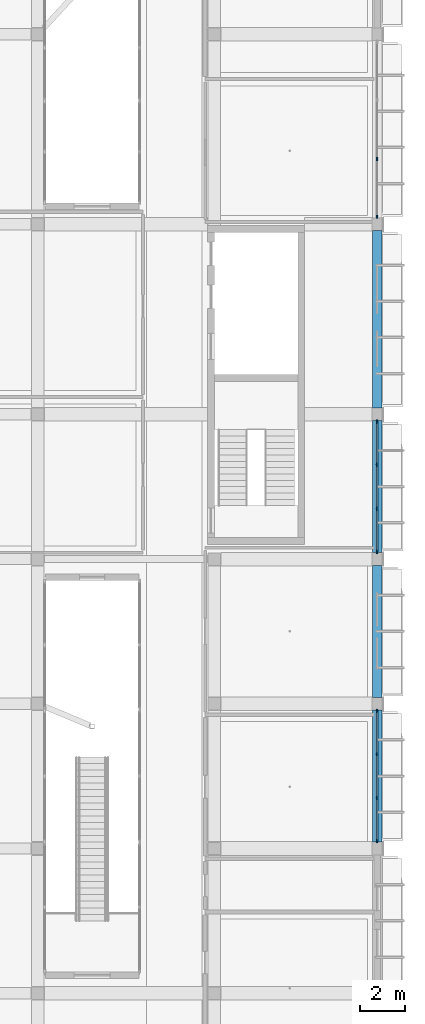
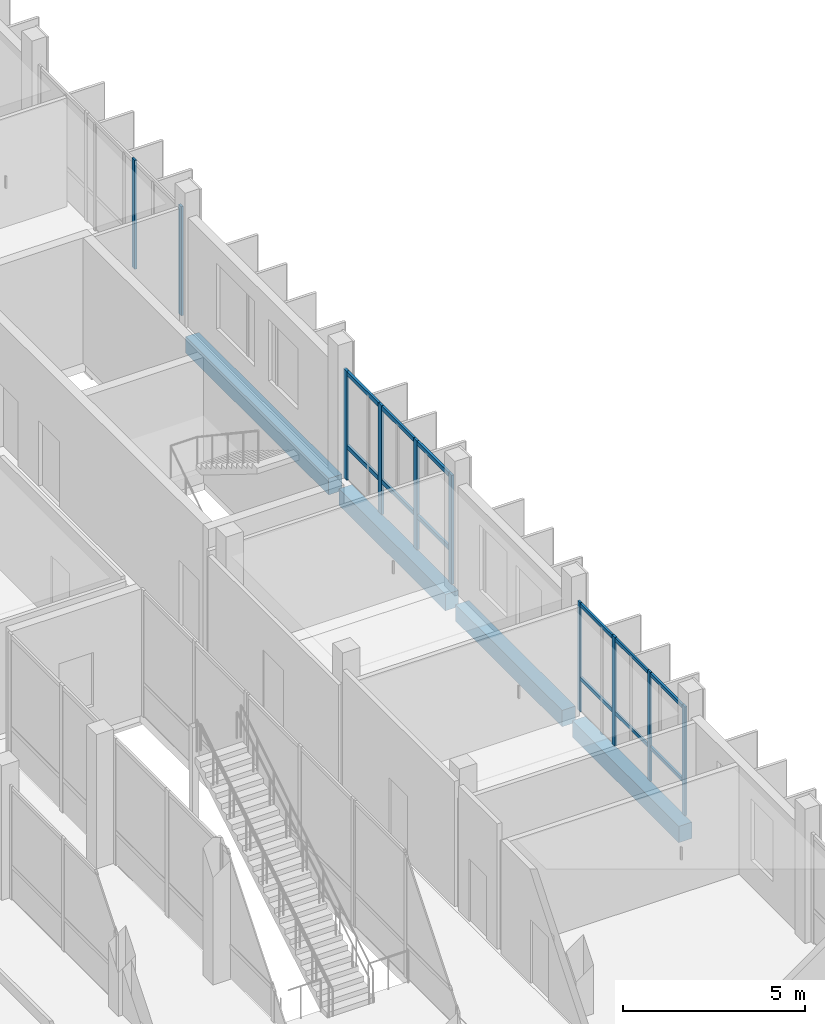
# One storey, part 37 of 95: 14 members, 4 beams, 3 elements without a shape of their own.
"""IFC4 building model written with IfcOpenShell, lengths in metres."""

from ifc_helpers import new_model, si_unit, derived_unit, direction, frame, origin, origin_2d, place, context, subcontext, project, spatial, rectangle, extrude, material, material_profile, profile_set, type_object, element, aggregate, save


model = new_model("IFC4")

# Units and contexts
model_context = context("Model", 3, precision=1e-05, world=origin(), true_north=direction((0.0, 1.0)))
body_context = subcontext(model_context, "Body", "Model", "MODEL_VIEW")
ifc_project = project(units=[si_unit("LENGTHUNIT", "METRE"), si_unit("AREAUNIT", "SQUARE_METRE"), si_unit("VOLUMEUNIT", "CUBIC_METRE"), si_unit("PLANEANGLEUNIT", "RADIAN"), si_unit("MASSUNIT", "GRAM", prefix="KILO"), derived_unit("THERMALTRANSMITTANCEUNIT", [(si_unit("POWERUNIT", "WATT"), 1), (si_unit("LENGTHUNIT", "METRE"), -2), (si_unit("THERMODYNAMICTEMPERATUREUNIT", "KELVIN"), -1)])], contexts=[model_context])

# Site, building, storey
site_placement = place(None, origin())
site = spatial("IfcSite", under=ifc_project, at=site_placement, CompositionType="ELEMENT")
building_placement = place(site_placement, origin())
building = spatial("IfcBuilding", under=site, at=building_placement, Name="Braskholm Square Health Centre", CompositionType="ELEMENT")
storey_placement = place(building_placement, frame((0.0, 0.0, 4.800048828125)))
storey = spatial("IfcBuildingStorey", under=building, at=storey_placement, Name="L02", CompositionType="ELEMENT", Elevation=4.800048828125)

# Curtain wall, members
ifc_material_1 = material(Name="Low-E triple insulating glass (VLT 0.64)", Category="glass")
curtain_wall_type = type_object("IfcCurtainWallType", Name="UnitisedCurtainWall6200x3650", PredefinedType="NOTDEFINED", material=ifc_material_1)
curtain_wall_1_placement = place(storey_placement, origin())
curtain_wall_1 = element("IfcCurtainWall", 1, at=curtain_wall_1_placement, inside=storey, type_object=curtain_wall_type, Name="East Outer unitised curtain wall CW-L02-0054", PredefinedType="NOTDEFINED")
ifc_material_2 = material(Name="Architectural bronze anodised aluminium", Category="aluminium")
ifc_material_profile_1 = material_profile(ifc_material_2, rectangle(XDim=0.06494140625, YDim=0.14990234375, at=origin_2d()), Name="ALU-65X150")
ifc_profile_set_1 = profile_set([ifc_material_profile_1], Name="Architectural bronze anodised aluminium")
member_type_1 = type_object("IfcMemberType", Name="CurtainWallMullion65x150", PredefinedType="MULLION", material=ifc_profile_set_1)
member_1_placement = place(storey_placement, frame((163.800048828125, 36.52490234375, 0.0), z_axis=(0.0, 0.0, 1.0), x_axis=(1.0, 0.0, 0.0)))
member_1 = element("IfcMember", 2, at=member_1_placement, type_object=member_type_1, Name="CW-L02-0054 vertical mullion 1", PredefinedType="MULLION", context=body_context, shape_type="SweptSolid", body=[
    extrude(rectangle(XDim=0.06494140625, YDim=0.14990234375, at=origin_2d()), origin(), (0.0, 0.0, 1.0), 3.64990234375),
])
member_2_placement = place(storey_placement, frame((163.800048828125, 38.429931640625, 0.0), z_axis=(0.0, 0.0, 1.0), x_axis=(1.0, 0.0, 0.0)))
member_2 = element("IfcMember", 3, at=member_2_placement, type_object=member_type_1, Name="CW-L02-0054 vertical mullion 2", PredefinedType="MULLION", context=body_context, shape_type="SweptSolid", body=[
    extrude(rectangle(XDim=0.06494140625, YDim=0.14990234375, at=origin_2d()), origin(), (0.0, 0.0, 1.0), 3.64990234375),
])
member_3_placement = place(storey_placement, frame((163.800048828125, 40.3701171875, 0.0), z_axis=(0.0, 0.0, 1.0), x_axis=(1.0, 0.0, 0.0)))
member_3 = element("IfcMember", 4, at=member_3_placement, type_object=member_type_1, Name="CW-L02-0054 vertical mullion 3", PredefinedType="MULLION", context=body_context, shape_type="SweptSolid", body=[
    extrude(rectangle(XDim=0.06494140625, YDim=0.14990234375, at=origin_2d()), origin(), (0.0, 0.0, 1.0), 3.64990234375),
])
member_4_placement = place(storey_placement, frame((163.800048828125, 42.275146484375, 0.0), z_axis=(0.0, 0.0, 1.0), x_axis=(1.0, 0.0, 0.0)))
member_4 = element("IfcMember", 5, at=member_4_placement, type_object=member_type_1, Name="CW-L02-0054 vertical mullion 4", PredefinedType="MULLION", context=body_context, shape_type="SweptSolid", body=[
    extrude(rectangle(XDim=0.06494140625, YDim=0.14990234375, at=origin_2d()), origin(), (0.0, 0.0, 1.0), 3.64990234375),
])

curtain_wall_2_placement = place(storey_placement, origin())
curtain_wall_2 = element("IfcCurtainWall", 6, at=curtain_wall_2_placement, inside=storey, type_object=curtain_wall_type, Name="East Outer unitised curtain wall CW-L02-0056", PredefinedType="NOTDEFINED")
member_5_placement = place(storey_placement, frame((163.800048828125, 64.136962890625, 0.0), z_axis=(0.0, 0.0, 1.0), x_axis=(1.0, 0.0, 0.0)))
member_5 = element("IfcMember", 7, at=member_5_placement, type_object=member_type_1, Name="CW-L02-0056 vertical mullion 1", PredefinedType="MULLION", context=body_context, shape_type="SweptSolid", body=[
    extrude(rectangle(XDim=0.06494140625, YDim=0.14990234375, at=origin_2d()), origin(), (0.0, 0.0, 1.0), 3.64990234375),
])
member_6_placement = place(storey_placement, frame((163.800048828125, 66.69677734375, 0.0), z_axis=(0.0, 0.0, 1.0), x_axis=(1.0, 0.0, 0.0)))
member_6 = element("IfcMember", 8, at=member_6_placement, type_object=member_type_1, Name="CW-L02-0056 vertical mullion 2", PredefinedType="MULLION", context=body_context, shape_type="SweptSolid", body=[
    extrude(rectangle(XDim=0.06494140625, YDim=0.14990234375, at=origin_2d()), origin(), (0.0, 0.0, 1.0), 3.64990234375),
])
aggregate(curtain_wall_2, [member_5, member_6])

curtain_wall_3_placement = place(storey_placement, origin())
curtain_wall_3 = element("IfcCurtainWall", 9, at=curtain_wall_3_placement, inside=storey, type_object=curtain_wall_type, Name="East Outer unitised curtain wall CW-L02-0055", PredefinedType="NOTDEFINED")
ifc_material_profile_2 = material_profile(ifc_material_2, rectangle(XDim=0.074951171875, YDim=0.179931640625, at=origin_2d()), Name="ALU-75X180")
ifc_profile_set_2 = profile_set([ifc_material_profile_2], Name="Architectural bronze anodised aluminium")
member_type_2 = type_object("IfcMemberType", Name="CurtainWallMullion75x180", PredefinedType="MULLION", material=ifc_profile_set_2)
member_7_placement = place(storey_placement, frame((163.800048828125, 49.324951171875, 0.0), z_axis=(0.0, 0.0, 1.0), x_axis=(1.0, 0.0, 0.0)))
member_7 = element("IfcMember", 10, at=member_7_placement, type_object=member_type_2, Name="CW-L02-0055 vertical mullion 1", PredefinedType="MULLION", context=body_context, shape_type="SweptSolid", body=[
    extrude(rectangle(XDim=0.074951171875, YDim=0.179931640625, at=origin_2d()), origin(), (0.0, 0.0, 1.0), 3.64990234375),
])
member_8_placement = place(storey_placement, frame((163.800048828125, 51.22998046875, 0.0), z_axis=(0.0, 0.0, 1.0), x_axis=(1.0, 0.0, 0.0)))
member_8 = element("IfcMember", 11, at=member_8_placement, type_object=member_type_2, Name="CW-L02-0055 vertical mullion 2", PredefinedType="MULLION", context=body_context, shape_type="SweptSolid", body=[
    extrude(rectangle(XDim=0.074951171875, YDim=0.179931640625, at=origin_2d()), origin(), (0.0, 0.0, 1.0), 3.64990234375),
])
member_9_placement = place(storey_placement, frame((163.800048828125, 53.169921875, 0.0), z_axis=(0.0, 0.0, 1.0), x_axis=(1.0, 0.0, 0.0)))
member_9 = element("IfcMember", 12, at=member_9_placement, type_object=member_type_2, Name="CW-L02-0055 vertical mullion 3", PredefinedType="MULLION", context=body_context, shape_type="SweptSolid", body=[
    extrude(rectangle(XDim=0.074951171875, YDim=0.179931640625, at=origin_2d()), origin(), (0.0, 0.0, 1.0), 3.64990234375),
])
member_10_placement = place(storey_placement, frame((163.800048828125, 55.0751953125, 0.0), z_axis=(0.0, 0.0, 1.0), x_axis=(1.0, 0.0, 0.0)))
member_10 = element("IfcMember", 13, at=member_10_placement, type_object=member_type_2, Name="CW-L02-0055 vertical mullion 4", PredefinedType="MULLION", context=body_context, shape_type="SweptSolid", body=[
    extrude(rectangle(XDim=0.074951171875, YDim=0.179931640625, at=origin_2d()), origin(), (0.0, 0.0, 1.0), 3.64990234375),
])

# Member
ifc_material_profile_3 = material_profile(ifc_material_2, rectangle(XDim=0.06494140625, YDim=0.1201171875, at=origin_2d()), Name="ALU-65X120")
ifc_profile_set_3 = profile_set([ifc_material_profile_3], Name="Architectural bronze anodised aluminium")
member_type_3 = type_object("IfcMemberType", Name="CurtainWallTransom65x120", PredefinedType="USERDEFINED", material=ifc_profile_set_3)
member_11_placement = place(storey_placement, frame((163.800048828125, 36.534912109375, 1.119873046875), z_axis=(0.0, 1.0, 0.0), x_axis=(-1.0, 0.0, 0.0)))
member_11 = element("IfcMember", 14, at=member_11_placement, type_object=member_type_3, Name="CW-L02-0054 horizontal transom 1", ObjectType="TRANSOM", PredefinedType="USERDEFINED", context=body_context, shape_type="SweptSolid", body=[
    extrude(rectangle(XDim=0.06494140625, YDim=0.1201171875, at=origin_2d()), origin(), (0.0, 0.0, 1.0), 5.72998046875),
])

member_12_placement = place(storey_placement, frame((163.800048828125, 36.534912109375, 3.579833984375), z_axis=(0.0, 1.0, 0.0), x_axis=(-1.0, 0.0, 0.0)))
member_12 = element("IfcMember", 15, at=member_12_placement, type_object=member_type_3, Name="CW-L02-0054 horizontal transom 2", ObjectType="TRANSOM", PredefinedType="USERDEFINED", context=body_context, shape_type="SweptSolid", body=[
    extrude(rectangle(XDim=0.06494140625, YDim=0.1201171875, at=origin_2d()), origin(), (0.0, 0.0, 1.0), 5.72998046875),
])

aggregate(curtain_wall_1, [member_1, member_2, member_3, member_4, member_11, member_12])

ifc_material_profile_4 = material_profile(ifc_material_2, rectangle(XDim=0.074951171875, YDim=0.139892578125, at=origin_2d()), Name="ALU-75X140")
ifc_profile_set_4 = profile_set([ifc_material_profile_4], Name="Architectural bronze anodised aluminium")
member_type_4 = type_object("IfcMemberType", Name="CurtainWallTransom75x140", PredefinedType="USERDEFINED", material=ifc_profile_set_4)
member_13_placement = place(storey_placement, frame((163.800048828125, 49.3349609375, 1.119873046875), z_axis=(0.0, 1.0, 0.0), x_axis=(-1.0, 0.0, 0.0)))
member_13 = element("IfcMember", 16, at=member_13_placement, type_object=member_type_4, Name="CW-L02-0055 horizontal transom 1", ObjectType="TRANSOM", PredefinedType="USERDEFINED", context=body_context, shape_type="SweptSolid", body=[
    extrude(rectangle(XDim=0.074951171875, YDim=0.139892578125, at=origin_2d()), origin(), (0.0, 0.0, 1.0), 5.72998046875),
])

member_14_placement = place(storey_placement, frame((163.800048828125, 49.3349609375, 3.579833984375), z_axis=(0.0, 1.0, 0.0), x_axis=(-1.0, 0.0, 0.0)))
member_14 = element("IfcMember", 17, at=member_14_placement, type_object=member_type_4, Name="CW-L02-0055 horizontal transom 2", ObjectType="TRANSOM", PredefinedType="USERDEFINED", context=body_context, shape_type="SweptSolid", body=[
    extrude(rectangle(XDim=0.074951171875, YDim=0.139892578125, at=origin_2d()), origin(), (0.0, 0.0, 1.0), 5.72998046875),
])

aggregate(curtain_wall_3, [member_7, member_8, member_9, member_10, member_13, member_14])

# Beams
ifc_material_3 = material(Name="Precast concrete C40/50 architectural white", Category="concrete")
ifc_material_profile_5 = material_profile(ifc_material_3, rectangle(XDim=0.419921875, YDim=0.550048828125, at=origin_2d()), Name="RCB-420X550")
ifc_profile_set_5 = profile_set([ifc_material_profile_5], Name="Precast concrete C40/50 architectural white")
beam_type = type_object("IfcBeamType", Name="SpandrelPrecastLedge420x550", PredefinedType="SPANDREL", material=ifc_profile_set_5)
for number, where, z_axis, x_axis, name in (
    (18, (163.800048828125, 36.47998046875, -0.574951171875), (0.0, 1.0, 0.0), (-1.0, 0.0, 0.0), "Beam 22/F-G L02"),
    (19, (163.800048828125, 42.8798828125, -0.574951171875), (0.0, 1.0, 0.0), (-1.0, 0.0, 0.0), "Beam 22/G-H L02"),
    (20, (163.800048828125, 49.280029296875, -0.574951171875), (0.0, 1.0, 0.0), (-1.0, 0.0, 0.0), "Beam 22/H-J L02"),
):
    element("IfcBeam", number, at=place(storey_placement, frame(where, z_axis=z_axis, x_axis=x_axis)), inside=storey, type_object=beam_type, Name=name, PredefinedType="SPANDREL", context=body_context, shape_type="SweptSolid", body=[
        extrude(rectangle(XDim=0.419921875, YDim=0.550048828125, at=origin_2d()), origin(), (0.0, 0.0, 1.0), 5.840087890625),
    ])
beam_placement = place(storey_placement, frame((163.800048828125, 55.679931640625, -0.574951171875), z_axis=(0.0, 1.0, 0.0), x_axis=(-1.0, 0.0, 0.0)))
element("IfcBeam", 21, at=beam_placement, inside=storey, type_object=beam_type, Name="Beam 22/J-K L02", PredefinedType="SPANDREL", context=body_context, shape_type="SweptSolid", body=[
    extrude(rectangle(XDim=0.419921875, YDim=0.550048828125, at=origin_2d()), origin(), (0.0, 0.0, 1.0), 7.840087890625),
])

save(model, "model.ifc")
